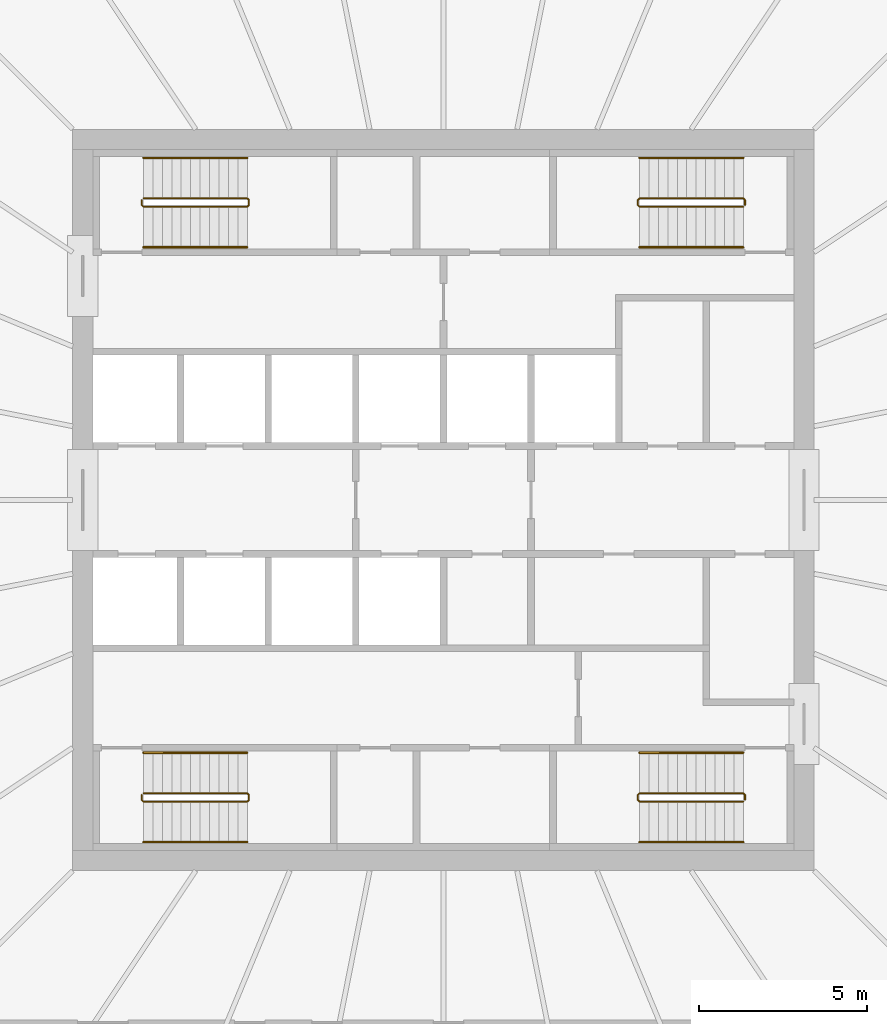
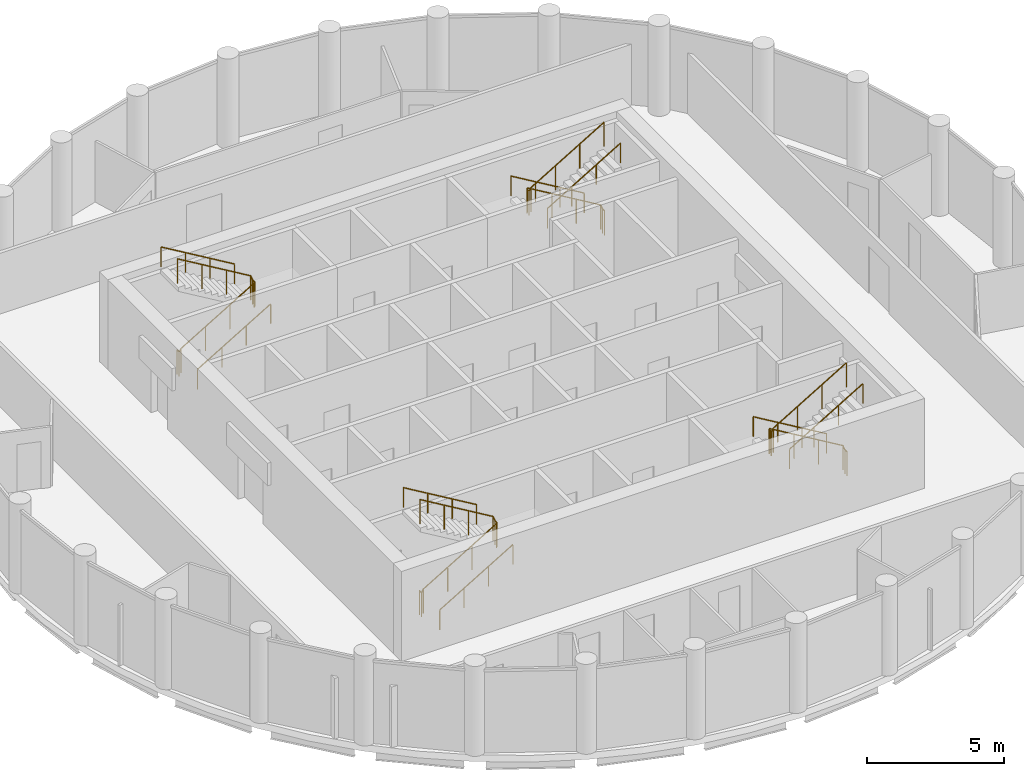
# One storey, part 7 of 7: 12 railings.
"""IFC4 building model written with IfcOpenShell, lengths in metres."""

from ifc_helpers import new_model, si_unit, direction, frame, origin, origin_2d, place, context, subcontext, project, spatial, circle, extrude, material, type_object, element, save


model = new_model("IFC4")

# Units and contexts
model_context = context("Model", 3, precision=1e-05, world=origin(), true_north=direction((0.0, 1.0)))
body_context = subcontext(model_context, "Body", "Model", "MODEL_VIEW")
ifc_project = project(units=[si_unit("LENGTHUNIT", "METRE"), si_unit("AREAUNIT", "SQUARE_METRE"), si_unit("VOLUMEUNIT", "CUBIC_METRE"), si_unit("PLANEANGLEUNIT", "RADIAN"), si_unit("MASSUNIT", "GRAM", prefix="KILO")], contexts=[model_context])

# Site, building, storey
site_placement = place(None, origin())
site = spatial("IfcSite", under=ifc_project, at=site_placement, CompositionType="ELEMENT")
building_placement = place(site_placement, origin())
building = spatial("IfcBuilding", under=site, at=building_placement, Name="Corvane Civic Tower", CompositionType="ELEMENT")
storey_placement = place(building_placement, frame((0.0, 0.0, 372.5)))
storey = spatial("IfcBuildingStorey", under=building, at=storey_placement, Name="L89", CompositionType="ELEMENT", Elevation=372.5)

# Railings
ifc_material_1 = material(Name="Steel ASTM A572 Gr 50", Category="steel")
railing_type_1 = type_object("IfcRailingType", Name="ST-GUARD-1100", PredefinedType="GUARDRAIL", material=ifc_material_1)
railing_1_placement = place(storey_placement, frame((8.949951171875, 8.75, 0.0)))
element("IfcRailing", 1, at=railing_1_placement, inside=storey, type_object=railing_type_1, Name="L89 ST1 stair guard 1", PredefinedType="GUARDRAIL", context=body_context, shape_type="SweptSolid", body=[
    extrude(circle(Radius=0.02392578125, at=origin_2d()), frame((0.0, 0.0, 1.076171875), z_axis=(0.0, 1.0, 0.0), x_axis=(-1.0, 0.0, 0.0)), (0.0, 0.0, 1.0), 0.14990234375),
    extrude(circle(Radius=0.02392578125, at=origin_2d()), frame((0.0, 0.14990234375, 1.076171875), z_axis=(-0.27628659633, 0.27628659633, 0.920506074601), x_axis=(-0.707106781187, -0.707106781187, 0.0)), (0.0, 0.0, 1.0), 0.18115234375),
    extrude(circle(Radius=0.02392578125, at=origin_2d()), frame((-0.050048828125, 0.199951171875, 1.24267578125), z_axis=(-0.859290745958, 0.0, 0.51148745235), x_axis=(0.0, -1.0, 0.0)), (0.0, 0.0, 1.0), 3.584228515625),
    extrude(circle(Radius=0.02392578125, at=origin_2d()), frame((-3.1298828125, 0.199951171875, 3.076171875), z_axis=(-0.707106781187, -0.707106781187, 0.0), x_axis=(0.707106781187, -0.707106781187, 0.0)), (0.0, 0.0, 1.0), 0.07080078125),
    extrude(circle(Radius=0.02392578125, at=origin_2d()), frame((-3.179931640625, 0.14990234375, 3.076171875), z_axis=(0.0, -1.0, 0.0), x_axis=(1.0, 0.0, 0.0)), (0.0, 0.0, 1.0), 0.14990234375),
    extrude(circle(Radius=0.02392578125, at=origin_2d()), frame((-3.179931640625, 0.0, 3.076171875), z_axis=(0.27628659633, -0.27628659633, 0.920506074601), x_axis=(0.707106781187, 0.707106781187, 0.0)), (0.0, 0.0, 1.0), 0.18115234375),
    extrude(circle(Radius=0.02392578125, at=origin_2d()), frame((-3.1298828125, -0.050048828125, 3.24267578125), z_axis=(0.859290745958, 0.0, 0.51148745235), x_axis=(0.0, 1.0, 0.0)), (0.0, 0.0, 1.0), 3.584228515625),
    extrude(circle(Radius=0.02099609375, at=origin_2d()), origin(), (0.0, 0.0, 1.0), 1.052001953125),
    extrude(circle(Radius=0.02099609375, at=origin_2d()), frame((0.0, 0.14990234375, 0.0)), (0.0, 0.0, 1.0), 1.052001953125),
    extrude(circle(Radius=0.02099609375, at=origin_2d()), frame((-0.050048828125, 0.199951171875, 0.166748046875)), (0.0, 0.0, 1.0), 1.052001953125),
    extrude(circle(Radius=0.02099609375, at=origin_2d()), frame((-1.07666015625, 0.199951171875, 0.77783203125)), (0.0, 0.0, 1.0), 1.052001953125),
    extrude(circle(Radius=0.02099609375, at=origin_2d()), frame((-2.103271484375, 0.199951171875, 1.388916015625)), (0.0, 0.0, 1.0), 1.052001953125),
    extrude(circle(Radius=0.02099609375, at=origin_2d()), frame((-3.1298828125, 0.199951171875, 2.0)), (0.0, 0.0, 1.0), 1.052001953125),
    extrude(circle(Radius=0.02099609375, at=origin_2d()), frame((-3.179931640625, 0.14990234375, 2.0)), (0.0, 0.0, 1.0), 1.052001953125),
    extrude(circle(Radius=0.02099609375, at=origin_2d()), frame((-3.179931640625, 0.0, 2.0)), (0.0, 0.0, 1.0), 1.052001953125),
    extrude(circle(Radius=0.02099609375, at=origin_2d()), frame((-3.1298828125, -0.050048828125, 2.166748046875)), (0.0, 0.0, 1.0), 1.052001953125),
    extrude(circle(Radius=0.02099609375, at=origin_2d()), frame((-2.103271484375, -0.050048828125, 2.77783203125)), (0.0, 0.0, 1.0), 1.052001953125),
    extrude(circle(Radius=0.02099609375, at=origin_2d()), frame((-1.07666015625, -0.050048828125, 3.388916015625)), (0.0, 0.0, 1.0), 1.052001953125),
    extrude(circle(Radius=0.02099609375, at=origin_2d()), frame((-0.050048828125, -0.050048828125, 4.0)), (0.0, 0.0, 1.0), 1.052001953125),
])
railing_2_placement = place(storey_placement, frame((8.949951171875, -8.89990234375, 0.0)))
element("IfcRailing", 2, at=railing_2_placement, inside=storey, type_object=railing_type_1, Name="L89 ST2 stair guard 1", PredefinedType="GUARDRAIL", context=body_context, shape_type="SweptSolid", body=[
    extrude(circle(Radius=0.02392578125, at=origin_2d()), frame((0.0, 0.0, 1.076171875), z_axis=(0.0, 1.0, 0.0), x_axis=(-1.0, 0.0, 0.0)), (0.0, 0.0, 1.0), 0.14990234375),
    extrude(circle(Radius=0.02392578125, at=origin_2d()), frame((0.0, 0.14990234375, 1.076171875), z_axis=(-0.27628659633, 0.27628659633, 0.920506074601), x_axis=(-0.707106781187, -0.707106781187, 0.0)), (0.0, 0.0, 1.0), 0.18115234375),
    extrude(circle(Radius=0.02392578125, at=origin_2d()), frame((-0.050048828125, 0.199951171875, 1.24267578125), z_axis=(-0.859290745958, 0.0, 0.51148745235), x_axis=(0.0, -1.0, 0.0)), (0.0, 0.0, 1.0), 3.584228515625),
    extrude(circle(Radius=0.02392578125, at=origin_2d()), frame((-3.1298828125, 0.199951171875, 3.076171875), z_axis=(-0.707106781187, -0.707106781187, 0.0), x_axis=(0.707106781187, -0.707106781187, 0.0)), (0.0, 0.0, 1.0), 0.07080078125),
    extrude(circle(Radius=0.02392578125, at=origin_2d()), frame((-3.179931640625, 0.14990234375, 3.076171875), z_axis=(0.0, -1.0, 0.0), x_axis=(1.0, 0.0, 0.0)), (0.0, 0.0, 1.0), 0.14990234375),
    extrude(circle(Radius=0.02392578125, at=origin_2d()), frame((-3.179931640625, 0.0, 3.076171875), z_axis=(0.27628659633, -0.27628659633, 0.920506074601), x_axis=(0.707106781187, 0.707106781187, 0.0)), (0.0, 0.0, 1.0), 0.18115234375),
    extrude(circle(Radius=0.02392578125, at=origin_2d()), frame((-3.1298828125, -0.050048828125, 3.24267578125), z_axis=(0.859290745958, 0.0, 0.51148745235), x_axis=(0.0, 1.0, 0.0)), (0.0, 0.0, 1.0), 3.584228515625),
    extrude(circle(Radius=0.02099609375, at=origin_2d()), origin(), (0.0, 0.0, 1.0), 1.052001953125),
    extrude(circle(Radius=0.02099609375, at=origin_2d()), frame((0.0, 0.14990234375, 0.0)), (0.0, 0.0, 1.0), 1.052001953125),
    extrude(circle(Radius=0.02099609375, at=origin_2d()), frame((-0.050048828125, 0.199951171875, 0.166748046875)), (0.0, 0.0, 1.0), 1.052001953125),
    extrude(circle(Radius=0.02099609375, at=origin_2d()), frame((-1.07666015625, 0.199951171875, 0.77783203125)), (0.0, 0.0, 1.0), 1.052001953125),
    extrude(circle(Radius=0.02099609375, at=origin_2d()), frame((-2.103271484375, 0.199951171875, 1.388916015625)), (0.0, 0.0, 1.0), 1.052001953125),
    extrude(circle(Radius=0.02099609375, at=origin_2d()), frame((-3.1298828125, 0.199951171875, 2.0)), (0.0, 0.0, 1.0), 1.052001953125),
    extrude(circle(Radius=0.02099609375, at=origin_2d()), frame((-3.179931640625, 0.14990234375, 2.0)), (0.0, 0.0, 1.0), 1.052001953125),
    extrude(circle(Radius=0.02099609375, at=origin_2d()), frame((-3.179931640625, 0.0, 2.0)), (0.0, 0.0, 1.0), 1.052001953125),
    extrude(circle(Radius=0.02099609375, at=origin_2d()), frame((-3.1298828125, -0.050048828125, 2.166748046875)), (0.0, 0.0, 1.0), 1.052001953125),
    extrude(circle(Radius=0.02099609375, at=origin_2d()), frame((-2.103271484375, -0.050048828125, 2.77783203125)), (0.0, 0.0, 1.0), 1.052001953125),
    extrude(circle(Radius=0.02099609375, at=origin_2d()), frame((-1.07666015625, -0.050048828125, 3.388916015625)), (0.0, 0.0, 1.0), 1.052001953125),
    extrude(circle(Radius=0.02099609375, at=origin_2d()), frame((-0.050048828125, -0.050048828125, 4.0)), (0.0, 0.0, 1.0), 1.052001953125),
])
railing_3_placement = place(storey_placement, frame((-8.949951171875, -8.75, 0.0)))
element("IfcRailing", 3, at=railing_3_placement, inside=storey, type_object=railing_type_1, Name="L89 ST3 stair guard 1", PredefinedType="GUARDRAIL", context=body_context, shape_type="SweptSolid", body=[
    extrude(circle(Radius=0.02392578125, at=origin_2d()), frame((0.0, 0.0, 1.076171875), z_axis=(0.0, -1.0, 0.0), x_axis=(1.0, 0.0, 0.0)), (0.0, 0.0, 1.0), 0.14990234375),
    extrude(circle(Radius=0.02392578125, at=origin_2d()), frame((0.0, -0.14990234375, 1.076171875), z_axis=(0.27628659633, -0.27628659633, 0.920506074601), x_axis=(0.707106781187, 0.707106781187, 0.0)), (0.0, 0.0, 1.0), 0.18115234375),
    extrude(circle(Radius=0.02392578125, at=origin_2d()), frame((0.050048828125, -0.199951171875, 1.24267578125), z_axis=(0.859290745958, 0.0, 0.51148745235), x_axis=(0.0, 1.0, 0.0)), (0.0, 0.0, 1.0), 3.584228515625),
    extrude(circle(Radius=0.02392578125, at=origin_2d()), frame((3.1298828125, -0.199951171875, 3.076171875), z_axis=(0.707106781187, 0.707106781187, 0.0), x_axis=(-0.707106781187, 0.707106781187, 0.0)), (0.0, 0.0, 1.0), 0.07080078125),
    extrude(circle(Radius=0.02392578125, at=origin_2d()), frame((3.179931640625, -0.14990234375, 3.076171875), z_axis=(0.0, 1.0, 0.0), x_axis=(-1.0, 0.0, 0.0)), (0.0, 0.0, 1.0), 0.14990234375),
    extrude(circle(Radius=0.02392578125, at=origin_2d()), frame((3.179931640625, 0.0, 3.076171875), z_axis=(-0.27628659633, 0.27628659633, 0.920506074601), x_axis=(-0.707106781187, -0.707106781187, 0.0)), (0.0, 0.0, 1.0), 0.18115234375),
    extrude(circle(Radius=0.02392578125, at=origin_2d()), frame((3.1298828125, 0.050048828125, 3.24267578125), z_axis=(-0.859290745958, 0.0, 0.51148745235), x_axis=(0.0, -1.0, 0.0)), (0.0, 0.0, 1.0), 3.584228515625),
    extrude(circle(Radius=0.02099609375, at=origin_2d()), origin(), (0.0, 0.0, 1.0), 1.052001953125),
    extrude(circle(Radius=0.02099609375, at=origin_2d()), frame((0.0, -0.14990234375, 0.0)), (0.0, 0.0, 1.0), 1.052001953125),
    extrude(circle(Radius=0.02099609375, at=origin_2d()), frame((0.050048828125, -0.199951171875, 0.166748046875)), (0.0, 0.0, 1.0), 1.052001953125),
    extrude(circle(Radius=0.02099609375, at=origin_2d()), frame((1.07666015625, -0.199951171875, 0.77783203125)), (0.0, 0.0, 1.0), 1.052001953125),
    extrude(circle(Radius=0.02099609375, at=origin_2d()), frame((2.103271484375, -0.199951171875, 1.388916015625)), (0.0, 0.0, 1.0), 1.052001953125),
    extrude(circle(Radius=0.02099609375, at=origin_2d()), frame((3.1298828125, -0.199951171875, 2.0)), (0.0, 0.0, 1.0), 1.052001953125),
    extrude(circle(Radius=0.02099609375, at=origin_2d()), frame((3.179931640625, -0.14990234375, 2.0)), (0.0, 0.0, 1.0), 1.052001953125),
    extrude(circle(Radius=0.02099609375, at=origin_2d()), frame((3.179931640625, 0.0, 2.0)), (0.0, 0.0, 1.0), 1.052001953125),
    extrude(circle(Radius=0.02099609375, at=origin_2d()), frame((3.1298828125, 0.050048828125, 2.166748046875)), (0.0, 0.0, 1.0), 1.052001953125),
    extrude(circle(Radius=0.02099609375, at=origin_2d()), frame((2.103271484375, 0.050048828125, 2.77783203125)), (0.0, 0.0, 1.0), 1.052001953125),
    extrude(circle(Radius=0.02099609375, at=origin_2d()), frame((1.07666015625, 0.050048828125, 3.388916015625)), (0.0, 0.0, 1.0), 1.052001953125),
    extrude(circle(Radius=0.02099609375, at=origin_2d()), frame((0.050048828125, 0.050048828125, 4.0)), (0.0, 0.0, 1.0), 1.052001953125),
])
railing_4_placement = place(storey_placement, frame((-8.949951171875, 8.89990234375, 0.0)))
element("IfcRailing", 4, at=railing_4_placement, inside=storey, type_object=railing_type_1, Name="L89 ST4 stair guard 1", PredefinedType="GUARDRAIL", context=body_context, shape_type="SweptSolid", body=[
    extrude(circle(Radius=0.02392578125, at=origin_2d()), frame((0.0, 0.0, 1.076171875), z_axis=(0.0, -1.0, 0.0), x_axis=(1.0, 0.0, 0.0)), (0.0, 0.0, 1.0), 0.14990234375),
    extrude(circle(Radius=0.02392578125, at=origin_2d()), frame((0.0, -0.14990234375, 1.076171875), z_axis=(0.27628659633, -0.27628659633, 0.920506074601), x_axis=(0.707106781187, 0.707106781187, 0.0)), (0.0, 0.0, 1.0), 0.18115234375),
    extrude(circle(Radius=0.02392578125, at=origin_2d()), frame((0.050048828125, -0.199951171875, 1.24267578125), z_axis=(0.859290745958, 0.0, 0.51148745235), x_axis=(0.0, 1.0, 0.0)), (0.0, 0.0, 1.0), 3.584228515625),
    extrude(circle(Radius=0.02392578125, at=origin_2d()), frame((3.1298828125, -0.199951171875, 3.076171875), z_axis=(0.707106781187, 0.707106781187, 0.0), x_axis=(-0.707106781187, 0.707106781187, 0.0)), (0.0, 0.0, 1.0), 0.07080078125),
    extrude(circle(Radius=0.02392578125, at=origin_2d()), frame((3.179931640625, -0.14990234375, 3.076171875), z_axis=(0.0, 1.0, 0.0), x_axis=(-1.0, 0.0, 0.0)), (0.0, 0.0, 1.0), 0.14990234375),
    extrude(circle(Radius=0.02392578125, at=origin_2d()), frame((3.179931640625, 0.0, 3.076171875), z_axis=(-0.27628659633, 0.27628659633, 0.920506074601), x_axis=(-0.707106781187, -0.707106781187, 0.0)), (0.0, 0.0, 1.0), 0.18115234375),
    extrude(circle(Radius=0.02392578125, at=origin_2d()), frame((3.1298828125, 0.050048828125, 3.24267578125), z_axis=(-0.859290745958, 0.0, 0.51148745235), x_axis=(0.0, -1.0, 0.0)), (0.0, 0.0, 1.0), 3.584228515625),
    extrude(circle(Radius=0.02099609375, at=origin_2d()), origin(), (0.0, 0.0, 1.0), 1.052001953125),
    extrude(circle(Radius=0.02099609375, at=origin_2d()), frame((0.0, -0.14990234375, 0.0)), (0.0, 0.0, 1.0), 1.052001953125),
    extrude(circle(Radius=0.02099609375, at=origin_2d()), frame((0.050048828125, -0.199951171875, 0.166748046875)), (0.0, 0.0, 1.0), 1.052001953125),
    extrude(circle(Radius=0.02099609375, at=origin_2d()), frame((1.07666015625, -0.199951171875, 0.77783203125)), (0.0, 0.0, 1.0), 1.052001953125),
    extrude(circle(Radius=0.02099609375, at=origin_2d()), frame((2.103271484375, -0.199951171875, 1.388916015625)), (0.0, 0.0, 1.0), 1.052001953125),
    extrude(circle(Radius=0.02099609375, at=origin_2d()), frame((3.1298828125, -0.199951171875, 2.0)), (0.0, 0.0, 1.0), 1.052001953125),
    extrude(circle(Radius=0.02099609375, at=origin_2d()), frame((3.179931640625, -0.14990234375, 2.0)), (0.0, 0.0, 1.0), 1.052001953125),
    extrude(circle(Radius=0.02099609375, at=origin_2d()), frame((3.179931640625, 0.0, 2.0)), (0.0, 0.0, 1.0), 1.052001953125),
    extrude(circle(Radius=0.02099609375, at=origin_2d()), frame((3.1298828125, 0.050048828125, 2.166748046875)), (0.0, 0.0, 1.0), 1.052001953125),
    extrude(circle(Radius=0.02099609375, at=origin_2d()), frame((2.103271484375, 0.050048828125, 2.77783203125)), (0.0, 0.0, 1.0), 1.052001953125),
    extrude(circle(Radius=0.02099609375, at=origin_2d()), frame((1.07666015625, 0.050048828125, 3.388916015625)), (0.0, 0.0, 1.0), 1.052001953125),
    extrude(circle(Radius=0.02099609375, at=origin_2d()), frame((0.050048828125, 0.050048828125, 4.0)), (0.0, 0.0, 1.0), 1.052001953125),
])
ifc_material_2 = material(Name="Steel ASTM A572 Gr 50", Category="steel")
railing_type_2 = type_object("IfcRailingType", Name="ST-HANDRAIL-900", PredefinedType="HANDRAIL", material=ifc_material_2)
railing_5_placement = place(storey_placement, frame((8.89990234375, 10.14990234375, 0.166748046875)))
element("IfcRailing", 5, at=railing_5_placement, inside=storey, type_object=railing_type_2, Name="L89 ST1 stair handrail 1", PredefinedType="HANDRAIL", context=body_context, shape_type="SweptSolid", body=[
    extrude(circle(Radius=0.02392578125, at=origin_2d()), frame((0.0, 0.0, 0.8759765625), z_axis=(-0.859290745958, 0.0, 0.51148745235), x_axis=(0.0, -1.0, 0.0)), (0.0, 0.0, 1.0), 3.584228515625),
    extrude(circle(Radius=0.02099609375, at=origin_2d()), origin(), (0.0, 0.0, 1.0), 0.851806640625),
    extrude(circle(Radius=0.02099609375, at=origin_2d()), frame((-1.026611328125, 0.0, 0.611083984375)), (0.0, 0.0, 1.0), 0.851806640625),
    extrude(circle(Radius=0.02099609375, at=origin_2d()), frame((-2.05322265625, 0.0, 1.22216796875)), (0.0, 0.0, 1.0), 0.851806640625),
    extrude(circle(Radius=0.02099609375, at=origin_2d()), frame((-3.079833984375, 0.0, 1.833251953125)), (0.0, 0.0, 1.0), 0.851806640625),
])
railing_6_placement = place(storey_placement, frame((5.820068359375, 7.5, 2.166748046875)))
element("IfcRailing", 6, at=railing_6_placement, inside=storey, type_object=railing_type_2, Name="L89 ST1 stair handrail 2", PredefinedType="HANDRAIL", context=body_context, shape_type="SweptSolid", body=[
    extrude(circle(Radius=0.02392578125, at=origin_2d()), frame((0.0, 0.0, 0.8759765625), z_axis=(0.859290745958, 0.0, 0.51148745235), x_axis=(0.0, 1.0, 0.0)), (0.0, 0.0, 1.0), 3.584228515625),
    extrude(circle(Radius=0.02099609375, at=origin_2d()), origin(), (0.0, 0.0, 1.0), 0.851806640625),
    extrude(circle(Radius=0.02099609375, at=origin_2d()), frame((1.026611328125, 0.0, 0.611083984375)), (0.0, 0.0, 1.0), 0.851806640625),
    extrude(circle(Radius=0.02099609375, at=origin_2d()), frame((2.05322265625, 0.0, 1.22216796875)), (0.0, 0.0, 1.0), 0.851806640625),
    extrude(circle(Radius=0.02099609375, at=origin_2d()), frame((3.079833984375, 0.0, 1.833251953125)), (0.0, 0.0, 1.0), 0.851806640625),
])
railing_7_placement = place(storey_placement, frame((8.89990234375, -7.5, 0.166748046875)))
element("IfcRailing", 7, at=railing_7_placement, inside=storey, type_object=railing_type_2, Name="L89 ST2 stair handrail 1", PredefinedType="HANDRAIL", context=body_context, shape_type="SweptSolid", body=[
    extrude(circle(Radius=0.02392578125, at=origin_2d()), frame((0.0, 0.0, 0.8759765625), z_axis=(-0.859290745958, 0.0, 0.51148745235), x_axis=(0.0, -1.0, 0.0)), (0.0, 0.0, 1.0), 3.584228515625),
    extrude(circle(Radius=0.02099609375, at=origin_2d()), origin(), (0.0, 0.0, 1.0), 0.851806640625),
    extrude(circle(Radius=0.02099609375, at=origin_2d()), frame((-1.026611328125, 0.0, 0.611083984375)), (0.0, 0.0, 1.0), 0.851806640625),
    extrude(circle(Radius=0.02099609375, at=origin_2d()), frame((-2.05322265625, 0.0, 1.22216796875)), (0.0, 0.0, 1.0), 0.851806640625),
    extrude(circle(Radius=0.02099609375, at=origin_2d()), frame((-3.079833984375, 0.0, 1.833251953125)), (0.0, 0.0, 1.0), 0.851806640625),
])
for number, where, name in (
    (8, (5.820068359375, -10.14990234375, 2.166748046875), "L89 ST2 stair handrail 2"),
    (9, (-8.89990234375, -10.14990234375, 0.166748046875), "L89 ST3 stair handrail 1"),
):
    element("IfcRailing", number, at=place(storey_placement, frame(where)), inside=storey, type_object=railing_type_2, Name=name, PredefinedType="HANDRAIL", context=body_context, shape_type="SweptSolid", body=[
        extrude(circle(Radius=0.02392578125, at=origin_2d()), frame((0.0, 0.0, 0.8759765625), z_axis=(0.859290745958, 0.0, 0.51148745235), x_axis=(0.0, 1.0, 0.0)), (0.0, 0.0, 1.0), 3.584228515625),
        extrude(circle(Radius=0.02099609375, at=origin_2d()), origin(), (0.0, 0.0, 1.0), 0.851806640625),
        extrude(circle(Radius=0.02099609375, at=origin_2d()), frame((1.026611328125, 0.0, 0.611083984375)), (0.0, 0.0, 1.0), 0.851806640625),
        extrude(circle(Radius=0.02099609375, at=origin_2d()), frame((2.05322265625, 0.0, 1.22216796875)), (0.0, 0.0, 1.0), 0.851806640625),
        extrude(circle(Radius=0.02099609375, at=origin_2d()), frame((3.079833984375, 0.0, 1.833251953125)), (0.0, 0.0, 1.0), 0.851806640625),
    ])
railing_8_placement = place(storey_placement, frame((-5.820068359375, -7.5, 2.166748046875)))
element("IfcRailing", 10, at=railing_8_placement, inside=storey, type_object=railing_type_2, Name="L89 ST3 stair handrail 2", PredefinedType="HANDRAIL", context=body_context, shape_type="SweptSolid", body=[
    extrude(circle(Radius=0.02392578125, at=origin_2d()), frame((0.0, 0.0, 0.8759765625), z_axis=(-0.859290745958, 0.0, 0.51148745235), x_axis=(0.0, -1.0, 0.0)), (0.0, 0.0, 1.0), 3.584228515625),
    extrude(circle(Radius=0.02099609375, at=origin_2d()), origin(), (0.0, 0.0, 1.0), 0.851806640625),
    extrude(circle(Radius=0.02099609375, at=origin_2d()), frame((-1.026611328125, 0.0, 0.611083984375)), (0.0, 0.0, 1.0), 0.851806640625),
    extrude(circle(Radius=0.02099609375, at=origin_2d()), frame((-2.05322265625, 0.0, 1.22216796875)), (0.0, 0.0, 1.0), 0.851806640625),
    extrude(circle(Radius=0.02099609375, at=origin_2d()), frame((-3.079833984375, 0.0, 1.833251953125)), (0.0, 0.0, 1.0), 0.851806640625),
])
railing_9_placement = place(storey_placement, frame((-8.89990234375, 7.5, 0.166748046875)))
element("IfcRailing", 11, at=railing_9_placement, inside=storey, type_object=railing_type_2, Name="L89 ST4 stair handrail 1", PredefinedType="HANDRAIL", context=body_context, shape_type="SweptSolid", body=[
    extrude(circle(Radius=0.02392578125, at=origin_2d()), frame((0.0, 0.0, 0.8759765625), z_axis=(0.859290745958, 0.0, 0.51148745235), x_axis=(0.0, 1.0, 0.0)), (0.0, 0.0, 1.0), 3.584228515625),
    extrude(circle(Radius=0.02099609375, at=origin_2d()), origin(), (0.0, 0.0, 1.0), 0.851806640625),
    extrude(circle(Radius=0.02099609375, at=origin_2d()), frame((1.026611328125, 0.0, 0.611083984375)), (0.0, 0.0, 1.0), 0.851806640625),
    extrude(circle(Radius=0.02099609375, at=origin_2d()), frame((2.05322265625, 0.0, 1.22216796875)), (0.0, 0.0, 1.0), 0.851806640625),
    extrude(circle(Radius=0.02099609375, at=origin_2d()), frame((3.079833984375, 0.0, 1.833251953125)), (0.0, 0.0, 1.0), 0.851806640625),
])
railing_10_placement = place(storey_placement, frame((-5.820068359375, 10.14990234375, 2.166748046875)))
element("IfcRailing", 12, at=railing_10_placement, inside=storey, type_object=railing_type_2, Name="L89 ST4 stair handrail 2", PredefinedType="HANDRAIL", context=body_context, shape_type="SweptSolid", body=[
    extrude(circle(Radius=0.02392578125, at=origin_2d()), frame((0.0, 0.0, 0.8759765625), z_axis=(-0.859290745958, 0.0, 0.51148745235), x_axis=(0.0, -1.0, 0.0)), (0.0, 0.0, 1.0), 3.584228515625),
    extrude(circle(Radius=0.02099609375, at=origin_2d()), origin(), (0.0, 0.0, 1.0), 0.851806640625),
    extrude(circle(Radius=0.02099609375, at=origin_2d()), frame((-1.026611328125, 0.0, 0.611083984375)), (0.0, 0.0, 1.0), 0.851806640625),
    extrude(circle(Radius=0.02099609375, at=origin_2d()), frame((-2.05322265625, 0.0, 1.22216796875)), (0.0, 0.0, 1.0), 0.851806640625),
    extrude(circle(Radius=0.02099609375, at=origin_2d()), frame((-3.079833984375, 0.0, 1.833251953125)), (0.0, 0.0, 1.0), 0.851806640625),
])

save(model, "model.ifc")
